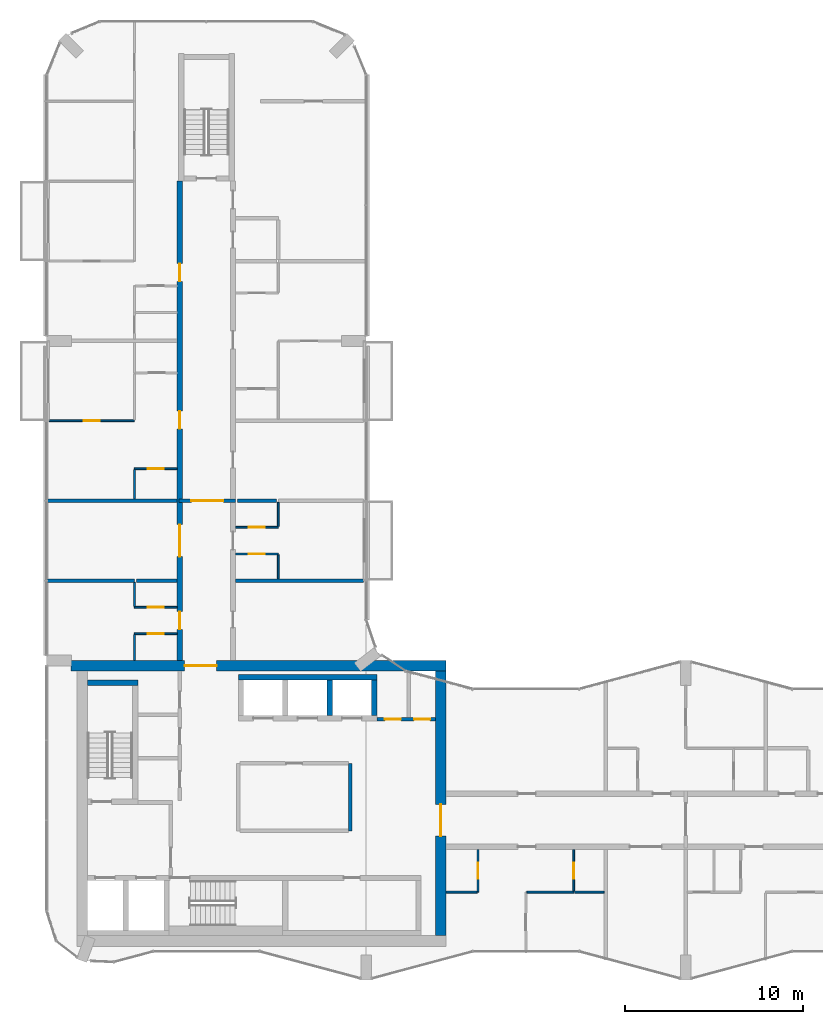
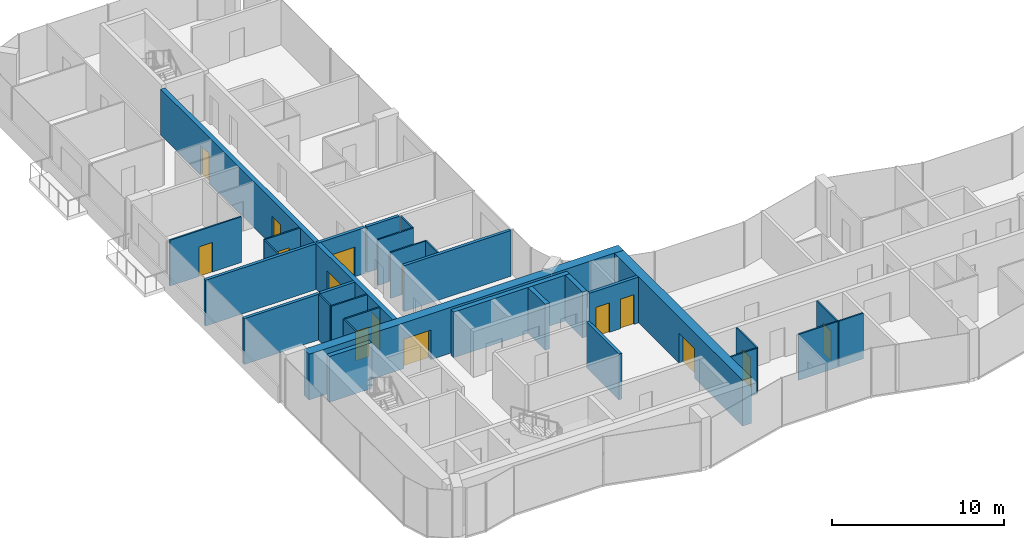
# One storey, part 10 of 15: 31 walls, 17 doors, 17 openings.
"""IFC4 building model written with IfcOpenShell, lengths in metres."""

from ifc_helpers import new_model, si_unit, direction, frame, frame_2d, origin, place, context, subcontext, project, spatial, rectangle, extrude, material, layer, layer_set, type_object, element, fill, save


model = new_model("IFC4")

# Units and contexts
model_context = context("Model", 3, precision=1e-05, world=origin(), true_north=direction((0.0, 1.0)))
body_context = subcontext(model_context, "Body", "Model", "MODEL_VIEW")
ifc_project = project(units=[si_unit("LENGTHUNIT", "METRE"), si_unit("AREAUNIT", "SQUARE_METRE"), si_unit("VOLUMEUNIT", "CUBIC_METRE"), si_unit("PLANEANGLEUNIT", "RADIAN"), si_unit("MASSUNIT", "GRAM", prefix="KILO")], contexts=[model_context])

# Site, building, storey
site_placement = place(None, origin())
site = spatial("IfcSite", under=ifc_project, at=site_placement, CompositionType="ELEMENT")
building_placement = place(site_placement, origin())
building = spatial("IfcBuilding", under=site, at=building_placement, Name="Plateau Cross Towers", CompositionType="ELEMENT")
storey_placement = place(building_placement, frame((0.0, 0.0, 149.89990234375)))
storey = spatial("IfcBuildingStorey", under=building, at=storey_placement, Name="L38", CompositionType="ELEMENT", Elevation=149.89990234375)

# Wall
ifc_material_1 = material(Name="Concrete block, plastered both sides", Category="concrete")
ifc_layer_1 = layer(ifc_material_1, 0.199951171875)
ifc_layer_set_1 = layer_set([ifc_layer_1], Name="Concrete block, plastered both sides")
wall_type_1 = type_object("IfcWallType", Name="Core partition 200", PredefinedType="PARTITIONING", material=ifc_layer_set_1)
wall_1_placement = place(storey_placement, frame((17.10009765625, 8.39990234375, 0.0), z_axis=(0.0, 0.0, 1.0), x_axis=(0.0, 1.0, 0.0)))
element("IfcWall", 1, at=wall_1_placement, inside=storey, type_object=wall_type_1, Name="Core partition", PredefinedType="PARTITIONING", context=body_context, shape_type="SweptSolid", body=[
    extrude(rectangle(XDim=3.800048828125, YDim=0.199951171875, at=frame_2d((1.89990234375, 0.0))), origin(), (0.0, 0.0, 1.0), 3.25),
])

# Wall, openings, doors
wall_2_placement = place(storey_placement, frame((18.60009765625, 14.699951171875, 0.0), z_axis=(0.0, 0.0, 1.0), x_axis=(1.0, 0.0, 0.0)))
wall_2 = element("IfcWall", 2, at=wall_2_placement, inside=storey, type_object=wall_type_1, Name="Core partition", PredefinedType="PARTITIONING", context=body_context, shape_type="SweptSolid", body=[
    extrude(rectangle(XDim=3.2998046875, YDim=0.199951171875, at=frame_2d((1.64990234375, 0.0))), origin(), (0.0, 0.0, 1.0), 3.25),
])
opening_1_placement = place(wall_2_placement, frame((0.449951171875, 0.0, 0.0)))
opening_1 = element("IfcOpeningElement", 3, at=opening_1_placement, cuts=wall_2, Name="Opening RD2", PredefinedType="OPENING", context=body_context, shape_type="SweptSolid", body=[
    extrude(rectangle(XDim=0.89990234375, YDim=2.10009765625, at=frame_2d((0.449951171875, 1.050048828125))), frame((0.0, 0.10986328125, 0.0), z_axis=(0.0, -1.0, 0.0), x_axis=(1.0, 0.0, 0.0)), (0.0, 0.0, 1.0), 0.219970703125),
])
opening_2_placement = place(wall_2_placement, frame((2.10009765625, 0.0, 0.0)))
opening_2 = element("IfcOpeningElement", 4, at=opening_2_placement, cuts=wall_2, Name="Opening RD2", PredefinedType="OPENING", context=body_context, shape_type="SweptSolid", body=[
    extrude(rectangle(XDim=0.89990234375, YDim=2.10009765625, at=frame_2d((0.449951171875, 1.050048828125))), frame((0.0, 0.10986328125, 0.0), z_axis=(0.0, -1.0, 0.0), x_axis=(1.0, 0.0, 0.0)), (0.0, 0.0, 1.0), 0.219970703125),
])
ifc_material_2 = material(Name="Steel, fire-resisting leaf", Category="steel")
door_type_1 = type_object("IfcDoorType", Name="Core riser door 900", OperationType="NOTDEFINED", PredefinedType="DOOR", material=ifc_material_2)
door_1_placement = place(opening_1_placement, origin())
door_1 = element("IfcDoor", 5, at=door_1_placement, inside=storey, type_object=door_type_1, Name="Core riser door RD2", OperationType="SINGLE_SWING_LEFT", OverallHeight=2.10009765625, OverallWidth=0.89990234375, PredefinedType="DOOR", context=body_context, shape_type="SweptSolid", body=[
    extrude(rectangle(XDim=0.89990234375, YDim=2.10009765625, at=frame_2d((0.449951171875, 1.050048828125))), frame((0.0, 0.02490234375, 0.0), z_axis=(0.0, -1.0, 0.0), x_axis=(1.0, 0.0, 0.0)), (0.0, 0.0, 1.0), 0.050048828125),
])
fill(opening_1, door_1)
door_2_placement = place(opening_2_placement, origin())
door_2 = element("IfcDoor", 6, at=door_2_placement, inside=storey, type_object=door_type_1, Name="Core riser door RD2", OperationType="SINGLE_SWING_LEFT", OverallHeight=2.10009765625, OverallWidth=0.89990234375, PredefinedType="DOOR", context=body_context, shape_type="SweptSolid", body=[
    extrude(rectangle(XDim=0.89990234375, YDim=2.10009765625, at=frame_2d((0.449951171875, 1.050048828125))), frame((0.0, 0.02490234375, 0.0), z_axis=(0.0, -1.0, 0.0), x_axis=(1.0, 0.0, 0.0)), (0.0, 0.0, 1.0), 0.050048828125),
])
fill(opening_2, door_2)

# Walls
ifc_material_3 = material(Name="Concrete C60/75", Category="concrete")
ifc_layer_2 = layer(ifc_material_3, 0.300048828125)
ifc_layer_set_2 = layer_set([ifc_layer_2], Name="Concrete C60/75")
wall_type_2 = type_object("IfcWallType", Name="Core shaft wall 300", PredefinedType="SHEAR", material=ifc_layer_set_2)
wall_3_placement = place(storey_placement, frame((2.300048828125, 16.75, 0.0), z_axis=(0.0, 0.0, 1.0), x_axis=(1.0, 0.0, 0.0)))
element("IfcWall", 7, at=wall_3_placement, inside=storey, type_object=wall_type_2, Name="A-st1-N@L38", PredefinedType="SHEAR", context=body_context, shape_type="SweptSolid", body=[
    extrude(rectangle(XDim=2.849853515625, YDim=0.300048828125, at=frame_2d((1.4248046875, 0.0))), origin(), (0.0, 0.0, 1.0), 3.25),
])
wall_4_placement = place(storey_placement, frame((10.800048828125, 17.050048828125, 0.0), z_axis=(0.0, 0.0, 1.0), x_axis=(1.0, 0.0, 0.0)))
element("IfcWall", 8, at=wall_4_placement, inside=storey, type_object=wall_type_2, Name="A-nb-back@L38", PredefinedType="SHEAR", context=body_context, shape_type="SweptSolid", body=[
    extrude(rectangle(XDim=7.800048828125, YDim=0.300048828125, at=frame_2d((3.89990234375, 0.0))), origin(), (0.0, 0.0, 1.0), 3.25),
])
for number, where, z_axis, x_axis, name in (
    (9, (15.949951171875, 14.89990234375, 0.0), (0.0, 0.0, 1.0), (0.0, 1.0, 0.0), "A-nb-v3@L38"),
    (10, (18.449951171875, 14.89990234375, 0.0), (0.0, 0.0, 1.0), (0.0, 1.0, 0.0), "A-nb-v4@L38"),
):
    element("IfcWall", number, at=place(storey_placement, frame(where, z_axis=z_axis, x_axis=x_axis)), inside=storey, type_object=wall_type_2, Name=name, PredefinedType="SHEAR", context=body_context, shape_type="SweptSolid", body=[
        extrude(rectangle(XDim=2.0, YDim=0.300048828125, at=frame_2d((1.0, 0.0))), origin(), (0.0, 0.0, 1.0), 3.25),
    ])

# Wall, opening, door
ifc_layer_3 = layer(ifc_material_3, 0.60009765625)
ifc_layer_set_3 = layer_set([ifc_layer_3], Name="Concrete C60/75")
wall_type_3 = type_object("IfcWallType", Name="Core shell wall 600", PredefinedType="SHEAR", material=ifc_layer_set_3)
wall_5_placement = place(storey_placement, frame((1.3798828125, 17.699951171875, 0.0), z_axis=(0.0, 0.0, 1.0), x_axis=(1.0, 0.0, 0.0)))
wall_5 = element("IfcWall", 11, at=wall_5_placement, inside=storey, type_object=wall_type_3, Name="A-core-N@L38", PredefinedType="SHEAR", context=body_context, shape_type="SweptSolid", body=[
    extrude(rectangle(XDim=21.1201171875, YDim=0.60009765625, at=frame_2d((10.56005859375, 0.0))), origin(), (0.0, 0.0, 1.0), 3.25),
])
opening_3_placement = place(wall_5_placement, frame((6.39990234375, 0.0, 0.0)))
opening_3 = element("IfcOpeningElement", 12, at=opening_3_placement, cuts=wall_5, Name="Opening CD", PredefinedType="OPENING", context=body_context, shape_type="SweptSolid", body=[
    extrude(rectangle(XDim=1.800048828125, YDim=2.10009765625, at=frame_2d((0.89990234375, 1.050048828125))), frame((0.0, 0.31005859375, 0.0), z_axis=(0.0, -1.0, 0.0), x_axis=(1.0, 0.0, 0.0)), (0.0, 0.0, 1.0), 0.6201171875),
])
ifc_material_4 = material(Name="Steel, fire-resisting leaves", Category="steel")
door_type_2 = type_object("IfcDoorType", Name="Corridor door pair 1800", OperationType="NOTDEFINED", PredefinedType="DOOR", material=ifc_material_4)
door_3_placement = place(opening_3_placement, origin())
door_3 = element("IfcDoor", 13, at=door_3_placement, inside=storey, type_object=door_type_2, Name="Corridor door pair CD", OperationType="DOUBLE_DOOR_SINGLE_SWING", OverallHeight=2.10009765625, OverallWidth=1.800048828125, PredefinedType="DOOR", context=body_context, shape_type="SweptSolid", body=[
    extrude(rectangle(XDim=1.800048828125, YDim=2.10009765625, at=frame_2d((0.89990234375, 1.050048828125))), frame((0.0, 0.02490234375, 0.0), z_axis=(0.0, -1.0, 0.0), x_axis=(1.0, 0.0, 0.0)), (0.0, 0.0, 1.0), 0.050048828125),
])
fill(opening_3, door_3)

wall_6_placement = place(storey_placement, frame((22.199951171875, 2.5, 0.0), z_axis=(0.0, 0.0, 1.0), x_axis=(0.0, 1.0, 0.0)))
wall_6 = element("IfcWall", 14, at=wall_6_placement, inside=storey, type_object=wall_type_3, Name="A-core-E@L38", PredefinedType="SHEAR", context=body_context, shape_type="SweptSolid", body=[
    extrude(rectangle(XDim=14.89990234375, YDim=0.60009765625, at=frame_2d((7.449951171875, 0.0))), origin(), (0.0, 0.0, 1.0), 3.25),
])
opening_4_placement = place(wall_6_placement, frame((5.60009765625, 0.0, 0.0)))
opening_4 = element("IfcOpeningElement", 15, at=opening_4_placement, cuts=wall_6, Name="Opening CD", PredefinedType="OPENING", context=body_context, shape_type="SweptSolid", body=[
    extrude(rectangle(XDim=1.800048828125, YDim=2.10009765625, at=frame_2d((0.89990234375, 1.050048828125))), frame((0.0, 0.31005859375, 0.0), z_axis=(0.0, -1.0, 0.0), x_axis=(1.0, 0.0, 0.0)), (0.0, 0.0, 1.0), 0.6201171875),
])
door_4_placement = place(opening_4_placement, origin())
door_4 = element("IfcDoor", 16, at=door_4_placement, inside=storey, type_object=door_type_2, Name="Corridor door pair CD", OperationType="DOUBLE_DOOR_SINGLE_SWING", OverallHeight=2.10009765625, OverallWidth=1.800048828125, PredefinedType="DOOR", context=body_context, shape_type="SweptSolid", body=[
    extrude(rectangle(XDim=1.800048828125, YDim=2.10009765625, at=frame_2d((0.89990234375, 1.050048828125))), frame((0.0, 0.02490234375, 0.0), z_axis=(0.0, -1.0, 0.0), x_axis=(1.0, 0.0, 0.0)), (0.0, 0.0, 1.0), 0.050048828125),
])
fill(opening_4, door_4)

# Wall, openings, doors
ifc_layer_4 = layer(ifc_material_3, 0.300048828125)
ifc_layer_set_4 = layer_set([ifc_layer_4], Name="Concrete C60/75")
wall_type_4 = type_object("IfcWallType", Name="Corridor wall 300", PredefinedType="SHEAR", material=ifc_layer_set_4)
wall_7_placement = place(storey_placement, frame((7.5, 18.0, 0.0), z_axis=(0.0, 0.0, 1.0), x_axis=(0.0, 1.0, 0.0)))
wall_7 = element("IfcWall", 17, at=wall_7_placement, inside=storey, type_object=wall_type_4, Name="A-cw-W1@L38", PredefinedType="SHEAR", context=body_context, shape_type="SweptSolid", body=[
    extrude(rectangle(XDim=27.0, YDim=0.300048828125, at=frame_2d((13.5, 0.0))), origin(), (0.0, 0.0, 1.0), 3.25),
])
opening_5_placement = place(wall_7_placement, frame((1.75, 0.0, 0.0)))
opening_5 = element("IfcOpeningElement", 18, at=opening_5_placement, cuts=wall_7, Name="Opening 38-08", PredefinedType="OPENING", context=body_context, shape_type="SweptSolid", body=[
    extrude(rectangle(XDim=1.0, YDim=2.10009765625, at=frame_2d((0.5, 1.050048828125))), frame((0.0, 0.159912109375, 0.0), z_axis=(0.0, -1.0, 0.0), x_axis=(1.0, 0.0, 0.0)), (0.0, 0.0, 1.0), 0.320068359375),
])
opening_6_placement = place(wall_7_placement, frame((5.85009765625, 0.0, 0.0)))
opening_6 = element("IfcOpeningElement", 19, at=opening_6_placement, cuts=wall_7, Name="Opening 38-09", PredefinedType="OPENING", context=body_context, shape_type="SweptSolid", body=[
    extrude(rectangle(XDim=1.800048828125, YDim=2.10009765625, at=frame_2d((0.89990234375, 1.050048828125))), frame((0.0, 0.159912109375, 0.0), z_axis=(0.0, -1.0, 0.0), x_axis=(1.0, 0.0, 0.0)), (0.0, 0.0, 1.0), 0.320068359375),
])
opening_7_placement = place(wall_7_placement, frame((13.050048828125, 0.0, 0.0)))
opening_7 = element("IfcOpeningElement", 20, at=opening_7_placement, cuts=wall_7, Name="Opening 38-10", PredefinedType="OPENING", context=body_context, shape_type="SweptSolid", body=[
    extrude(rectangle(XDim=1.0, YDim=2.10009765625, at=frame_2d((0.5, 1.050048828125))), frame((0.0, 0.159912109375, 0.0), z_axis=(0.0, -1.0, 0.0), x_axis=(1.0, 0.0, 0.0)), (0.0, 0.0, 1.0), 0.320068359375),
])
opening_8_placement = place(wall_7_placement, frame((21.35009765625, 0.0, 0.0)))
opening_8 = element("IfcOpeningElement", 21, at=opening_8_placement, cuts=wall_7, Name="Opening 38-11", PredefinedType="OPENING", context=body_context, shape_type="SweptSolid", body=[
    extrude(rectangle(XDim=1.0, YDim=2.10009765625, at=frame_2d((0.5, 1.050048828125))), frame((0.0, 0.159912109375, 0.0), z_axis=(0.0, -1.0, 0.0), x_axis=(1.0, 0.0, 0.0)), (0.0, 0.0, 1.0), 0.320068359375),
])
ifc_material_5 = material(Name="Timber, fire-resisting leaf", Category="wood")
door_type_3 = type_object("IfcDoorType", Name="Flat entrance door 1000", OperationType="NOTDEFINED", PredefinedType="DOOR", material=ifc_material_5)
door_5_placement = place(opening_5_placement, origin())
door_5 = element("IfcDoor", 22, at=door_5_placement, inside=storey, type_object=door_type_3, Name="Door 38-08", OperationType="SINGLE_SWING_LEFT", OverallHeight=2.10009765625, OverallWidth=1.0, PredefinedType="DOOR", context=body_context, shape_type="SweptSolid", body=[
    extrude(rectangle(XDim=1.0, YDim=2.10009765625, at=frame_2d((0.5, 1.050048828125))), frame((0.0, 0.02490234375, 0.0), z_axis=(0.0, -1.0, 0.0), x_axis=(1.0, 0.0, 0.0)), (0.0, 0.0, 1.0), 0.050048828125),
])
fill(opening_5, door_5)
door_6_placement = place(opening_7_placement, origin())
door_6 = element("IfcDoor", 23, at=door_6_placement, inside=storey, type_object=door_type_3, Name="Door 38-10", OperationType="SINGLE_SWING_RIGHT", OverallHeight=2.10009765625, OverallWidth=1.0, PredefinedType="DOOR", context=body_context, shape_type="SweptSolid", body=[
    extrude(rectangle(XDim=1.0, YDim=2.10009765625, at=frame_2d((0.5, 1.050048828125))), frame((0.0, 0.02490234375, 0.0), z_axis=(0.0, -1.0, 0.0), x_axis=(1.0, 0.0, 0.0)), (0.0, 0.0, 1.0), 0.050048828125),
])
fill(opening_7, door_6)
door_7_placement = place(opening_8_placement, origin())
door_7 = element("IfcDoor", 24, at=door_7_placement, inside=storey, type_object=door_type_3, Name="Door 38-11", OperationType="SINGLE_SWING_RIGHT", OverallHeight=2.10009765625, OverallWidth=1.0, PredefinedType="DOOR", context=body_context, shape_type="SweptSolid", body=[
    extrude(rectangle(XDim=1.0, YDim=2.10009765625, at=frame_2d((0.5, 1.050048828125))), frame((0.0, 0.02490234375, 0.0), z_axis=(0.0, -1.0, 0.0), x_axis=(1.0, 0.0, 0.0)), (0.0, 0.0, 1.0), 0.050048828125),
])
fill(opening_8, door_7)
ifc_material_6 = material(Name="Timber, fire-resisting leaves", Category="wood")
door_type_4 = type_object("IfcDoorType", Name="Flat floor fire door pair 1800", OperationType="NOTDEFINED", PredefinedType="DOOR", material=ifc_material_6)
door_8_placement = place(opening_6_placement, origin())
door_8 = element("IfcDoor", 25, at=door_8_placement, inside=storey, type_object=door_type_4, Name="Door 38-09", OperationType="SINGLE_SWING_LEFT", OverallHeight=2.10009765625, OverallWidth=1.800048828125, PredefinedType="DOOR", context=body_context, shape_type="SweptSolid", body=[
    extrude(rectangle(XDim=1.800048828125, YDim=2.10009765625, at=frame_2d((0.89990234375, 1.050048828125))), frame((0.0, 0.02490234375, 0.0), z_axis=(0.0, -1.0, 0.0), x_axis=(1.0, 0.0, 0.0)), (0.0, 0.0, 1.0), 0.050048828125),
])
fill(opening_6, door_8)

# Walls
ifc_material_7 = material(Name="Gypsum board on steel studs", Category="steel")
ifc_layer_5 = layer(ifc_material_7, 0.10009765625)
ifc_layer_set_5 = layer_set([ifc_layer_5], Name="Gypsum board on steel studs")
wall_type_5 = type_object("IfcWallType", Name="Flat partition 100", PredefinedType="PARTITIONING", material=ifc_layer_set_5)
wall_8_placement = place(storey_placement, frame((29.699951171875, 4.949951171875, 0.0), z_axis=(0.0, 0.0, 1.0), x_axis=(-1.0, 0.0, 0.0)))
element("IfcWall", 26, at=wall_8_placement, inside=storey, type_object=wall_type_5, Name="Partition wall", PredefinedType="PARTITIONING", context=body_context, shape_type="SweptSolid", body=[
    extrude(rectangle(XDim=2.64990234375, YDim=0.10009765625, at=frame_2d((1.324951171875, 0.0))), origin(), (0.0, 0.0, 1.0), 3.25),
])
wall_9_placement = place(storey_placement, frame((22.5, 4.949951171875, 0.0), z_axis=(0.0, 0.0, 1.0), x_axis=(1.0, 0.0, 0.0)))
element("IfcWall", 27, at=wall_9_placement, inside=storey, type_object=wall_type_5, Name="Partition wall", PredefinedType="PARTITIONING", context=body_context, shape_type="SweptSolid", body=[
    extrude(rectangle(XDim=1.75, YDim=0.10009765625, at=frame_2d((0.875, 0.0))), origin(), (0.0, 0.0, 1.0), 3.25),
])
wall_10_placement = place(storey_placement, frame((29.75, 4.949951171875, 0.0), z_axis=(0.0, 0.0, 1.0), x_axis=(1.0, 0.0, 0.0)))
element("IfcWall", 28, at=wall_10_placement, inside=storey, type_object=wall_type_5, Name="Partition wall", PredefinedType="PARTITIONING", context=body_context, shape_type="SweptSolid", body=[
    extrude(rectangle(XDim=1.64990234375, YDim=0.10009765625, at=frame_2d((0.824951171875, 0.0))), origin(), (0.0, 0.0, 1.0), 3.25),
])

# Wall, opening, door
wall_11_placement = place(storey_placement, frame((7.35009765625, 19.5, 0.0), z_axis=(0.0, 0.0, 1.0), x_axis=(-1.0, 0.0, 0.0)))
wall_11 = element("IfcWall", 29, at=wall_11_placement, inside=storey, type_object=wall_type_5, Name="Partition wall", PredefinedType="PARTITIONING", context=body_context, shape_type="SweptSolid", body=[
    extrude(rectangle(XDim=2.400146484375, YDim=0.10009765625, at=frame_2d((1.2001953125, 0.0))), origin(), (0.0, 0.0, 1.0), 3.25),
])
opening_9_placement = place(wall_11_placement, frame((0.75, 0.0, 0.0)))
opening_9 = element("IfcOpeningElement", 30, at=opening_9_placement, cuts=wall_11, Name="Opening 38-33", PredefinedType="OPENING", context=body_context, shape_type="SweptSolid", body=[
    extrude(rectangle(XDim=0.89990234375, YDim=2.10009765625, at=frame_2d((0.449951171875, 1.050048828125))), frame((0.0, 0.06005859375, 0.0), z_axis=(0.0, -1.0, 0.0), x_axis=(1.0, 0.0, 0.0)), (0.0, 0.0, 1.0), 0.1201171875),
])
ifc_material_8 = material(Name="Timber leaf", Category="wood")
door_type_5 = type_object("IfcDoorType", Name="Flat room door 900", OperationType="NOTDEFINED", PredefinedType="DOOR", material=ifc_material_8)
door_9_placement = place(opening_9_placement, origin())
door_9 = element("IfcDoor", 31, at=door_9_placement, inside=storey, type_object=door_type_5, Name="Door 38-33", OperationType="SINGLE_SWING_RIGHT", OverallHeight=2.10009765625, OverallWidth=0.89990234375, PredefinedType="DOOR", context=body_context, shape_type="SweptSolid", body=[
    extrude(rectangle(XDim=0.89990234375, YDim=2.10009765625, at=frame_2d((0.449951171875, 1.050048828125))), frame((0.0, 0.02490234375, 0.0), z_axis=(0.0, -1.0, 0.0), x_axis=(1.0, 0.0, 0.0)), (0.0, 0.0, 1.0), 0.050048828125),
])
fill(opening_9, door_9)

wall_12_placement = place(storey_placement, frame((4.949951171875, 21.0, 0.0), z_axis=(0.0, 0.0, 1.0), x_axis=(1.0, 0.0, 0.0)))
wall_12 = element("IfcWall", 32, at=wall_12_placement, inside=storey, type_object=wall_type_5, Name="Partition wall", PredefinedType="PARTITIONING", context=body_context, shape_type="SweptSolid", body=[
    extrude(rectangle(XDim=2.400146484375, YDim=0.10009765625, at=frame_2d((1.2001953125, 0.0))), origin(), (0.0, 0.0, 1.0), 3.25),
])
opening_10_placement = place(wall_12_placement, frame((0.75, 0.0, 0.0)))
opening_10 = element("IfcOpeningElement", 33, at=opening_10_placement, cuts=wall_12, Name="Opening 38-34", PredefinedType="OPENING", context=body_context, shape_type="SweptSolid", body=[
    extrude(rectangle(XDim=0.89990234375, YDim=2.10009765625, at=frame_2d((0.449951171875, 1.050048828125))), frame((0.0, 0.06005859375, 0.0), z_axis=(0.0, -1.0, 0.0), x_axis=(1.0, 0.0, 0.0)), (0.0, 0.0, 1.0), 0.1201171875),
])
door_10_placement = place(opening_10_placement, origin())
door_10 = element("IfcDoor", 34, at=door_10_placement, inside=storey, type_object=door_type_5, Name="Door 38-34", OperationType="SINGLE_SWING_RIGHT", OverallHeight=2.10009765625, OverallWidth=0.89990234375, PredefinedType="DOOR", context=body_context, shape_type="SweptSolid", body=[
    extrude(rectangle(XDim=0.89990234375, YDim=2.10009765625, at=frame_2d((0.449951171875, 1.050048828125))), frame((0.0, 0.02490234375, 0.0), z_axis=(0.0, -1.0, 0.0), x_axis=(1.0, 0.0, 0.0)), (0.0, 0.0, 1.0), 0.050048828125),
])
fill(opening_10, door_10)

wall_13_placement = place(storey_placement, frame((13.050048828125, 24.0, 0.0), z_axis=(0.0, 0.0, 1.0), x_axis=(-1.0, 0.0, 0.0)))
wall_13 = element("IfcWall", 35, at=wall_13_placement, inside=storey, type_object=wall_type_5, Name="Partition wall", PredefinedType="PARTITIONING", context=body_context, shape_type="SweptSolid", body=[
    extrude(rectangle(XDim=2.400146484375, YDim=0.10009765625, at=frame_2d((1.2001953125, 0.0))), origin(), (0.0, 0.0, 1.0), 3.25),
])
opening_11_placement = place(wall_13_placement, frame((0.75, 0.0, 0.0)))
opening_11 = element("IfcOpeningElement", 36, at=opening_11_placement, cuts=wall_13, Name="Opening 38-43", PredefinedType="OPENING", context=body_context, shape_type="SweptSolid", body=[
    extrude(rectangle(XDim=0.89990234375, YDim=2.10009765625, at=frame_2d((0.449951171875, 1.050048828125))), frame((0.0, 0.06005859375, 0.0), z_axis=(0.0, -1.0, 0.0), x_axis=(1.0, 0.0, 0.0)), (0.0, 0.0, 1.0), 0.1201171875),
])
door_11_placement = place(opening_11_placement, origin())
door_11 = element("IfcDoor", 37, at=door_11_placement, inside=storey, type_object=door_type_5, Name="Door 38-43", OperationType="SINGLE_SWING_LEFT", OverallHeight=2.10009765625, OverallWidth=0.89990234375, PredefinedType="DOOR", context=body_context, shape_type="SweptSolid", body=[
    extrude(rectangle(XDim=0.89990234375, YDim=2.10009765625, at=frame_2d((0.449951171875, 1.050048828125))), frame((0.0, 0.02490234375, 0.0), z_axis=(0.0, -1.0, 0.0), x_axis=(1.0, 0.0, 0.0)), (0.0, 0.0, 1.0), 0.050048828125),
])
fill(opening_11, door_11)

wall_14_placement = place(storey_placement, frame((10.64990234375, 25.5, 0.0), z_axis=(0.0, 0.0, 1.0), x_axis=(1.0, 0.0, 0.0)))
wall_14 = element("IfcWall", 38, at=wall_14_placement, inside=storey, type_object=wall_type_5, Name="Partition wall", PredefinedType="PARTITIONING", context=body_context, shape_type="SweptSolid", body=[
    extrude(rectangle(XDim=2.400146484375, YDim=0.10009765625, at=frame_2d((1.2001953125, 0.0))), origin(), (0.0, 0.0, 1.0), 3.25),
])
opening_12_placement = place(wall_14_placement, frame((0.75, 0.0, 0.0)))
opening_12 = element("IfcOpeningElement", 39, at=opening_12_placement, cuts=wall_14, Name="Opening 38-44", PredefinedType="OPENING", context=body_context, shape_type="SweptSolid", body=[
    extrude(rectangle(XDim=0.89990234375, YDim=2.10009765625, at=frame_2d((0.449951171875, 1.050048828125))), frame((0.0, 0.06005859375, 0.0), z_axis=(0.0, -1.0, 0.0), x_axis=(1.0, 0.0, 0.0)), (0.0, 0.0, 1.0), 0.1201171875),
])
door_12_placement = place(opening_12_placement, origin())
door_12 = element("IfcDoor", 40, at=door_12_placement, inside=storey, type_object=door_type_5, Name="Door 38-44", OperationType="SINGLE_SWING_LEFT", OverallHeight=2.10009765625, OverallWidth=0.89990234375, PredefinedType="DOOR", context=body_context, shape_type="SweptSolid", body=[
    extrude(rectangle(XDim=0.89990234375, YDim=2.10009765625, at=frame_2d((0.449951171875, 1.050048828125))), frame((0.0, 0.02490234375, 0.0), z_axis=(0.0, -1.0, 0.0), x_axis=(1.0, 0.0, 0.0)), (0.0, 0.0, 1.0), 0.050048828125),
])
fill(opening_12, door_12)

wall_15_placement = place(storey_placement, frame((7.35009765625, 28.800048828125, 0.0), z_axis=(0.0, 0.0, 1.0), x_axis=(-1.0, 0.0, 0.0)))
wall_15 = element("IfcWall", 41, at=wall_15_placement, inside=storey, type_object=wall_type_5, Name="Partition wall", PredefinedType="PARTITIONING", context=body_context, shape_type="SweptSolid", body=[
    extrude(rectangle(XDim=2.400146484375, YDim=0.10009765625, at=frame_2d((1.2001953125, 0.0))), origin(), (0.0, 0.0, 1.0), 3.25),
])
opening_13_placement = place(wall_15_placement, frame((0.75, 0.0, 0.0)))
opening_13 = element("IfcOpeningElement", 42, at=opening_13_placement, cuts=wall_15, Name="Opening 38-35", PredefinedType="OPENING", context=body_context, shape_type="SweptSolid", body=[
    extrude(rectangle(XDim=0.89990234375, YDim=2.10009765625, at=frame_2d((0.449951171875, 1.050048828125))), frame((0.0, 0.06005859375, 0.0), z_axis=(0.0, -1.0, 0.0), x_axis=(1.0, 0.0, 0.0)), (0.0, 0.0, 1.0), 0.1201171875),
])
door_13_placement = place(opening_13_placement, origin())
door_13 = element("IfcDoor", 43, at=door_13_placement, inside=storey, type_object=door_type_5, Name="Door 38-35", OperationType="SINGLE_SWING_RIGHT", OverallHeight=2.10009765625, OverallWidth=0.89990234375, PredefinedType="DOOR", context=body_context, shape_type="SweptSolid", body=[
    extrude(rectangle(XDim=0.89990234375, YDim=2.10009765625, at=frame_2d((0.449951171875, 1.050048828125))), frame((0.0, 0.02490234375, 0.0), z_axis=(0.0, -1.0, 0.0), x_axis=(1.0, 0.0, 0.0)), (0.0, 0.0, 1.0), 0.050048828125),
])
fill(opening_13, door_13)

wall_16_placement = place(storey_placement, frame((0.14990234375, 31.5, 0.0), z_axis=(0.0, 0.0, 1.0), x_axis=(1.0, 0.0, 0.0)))
wall_16 = element("IfcWall", 44, at=wall_16_placement, inside=storey, type_object=wall_type_5, Name="Partition wall", PredefinedType="PARTITIONING", context=body_context, shape_type="SweptSolid", body=[
    extrude(rectangle(XDim=4.800048828125, YDim=0.10009765625, at=frame_2d((2.39990234375, 0.0))), origin(), (0.0, 0.0, 1.0), 3.25),
])
opening_14_placement = place(wall_16_placement, frame((1.949951171875, 0.0, 0.0)))
opening_14 = element("IfcOpeningElement", 45, at=opening_14_placement, cuts=wall_16, Name="Opening 38-37", PredefinedType="OPENING", context=body_context, shape_type="SweptSolid", body=[
    extrude(rectangle(XDim=0.89990234375, YDim=2.10009765625, at=frame_2d((0.449951171875, 1.050048828125))), frame((0.0, 0.06005859375, 0.0), z_axis=(0.0, -1.0, 0.0), x_axis=(1.0, 0.0, 0.0)), (0.0, 0.0, 1.0), 0.1201171875),
])
door_14_placement = place(opening_14_placement, origin())
door_14 = element("IfcDoor", 46, at=door_14_placement, inside=storey, type_object=door_type_5, Name="Door 38-37", OperationType="SINGLE_SWING_LEFT", OverallHeight=2.10009765625, OverallWidth=0.89990234375, PredefinedType="DOOR", context=body_context, shape_type="SweptSolid", body=[
    extrude(rectangle(XDim=0.89990234375, YDim=2.10009765625, at=frame_2d((0.449951171875, 1.050048828125))), frame((0.0, 0.02490234375, 0.0), z_axis=(0.0, -1.0, 0.0), x_axis=(1.0, 0.0, 0.0)), (0.0, 0.0, 1.0), 0.050048828125),
])
fill(opening_14, door_14)

# Walls
wall_17_placement = place(storey_placement, frame((4.949951171875, 19.449951171875, 0.0), z_axis=(0.0, 0.0, 1.0), x_axis=(0.0, -1.0, 0.0)))
element("IfcWall", 47, at=wall_17_placement, inside=storey, type_object=wall_type_5, Name="Partition wall", PredefinedType="PARTITIONING", context=body_context, shape_type="SweptSolid", body=[
    extrude(rectangle(XDim=1.449951171875, YDim=0.10009765625, at=frame_2d((0.72509765625, 0.0))), origin(), (0.0, 0.0, 1.0), 3.25),
])
wall_18_placement = place(storey_placement, frame((4.949951171875, 22.39990234375, 0.0), z_axis=(0.0, 0.0, 1.0), x_axis=(0.0, -1.0, 0.0)))
element("IfcWall", 48, at=wall_18_placement, inside=storey, type_object=wall_type_5, Name="Partition wall", PredefinedType="PARTITIONING", context=body_context, shape_type="SweptSolid", body=[
    extrude(rectangle(XDim=1.349853515625, YDim=0.10009765625, at=frame_2d((0.6748046875, 0.0))), origin(), (0.0, 0.0, 1.0), 3.25),
])
wall_19_placement = place(storey_placement, frame((4.949951171875, 28.75, 0.0), z_axis=(0.0, 0.0, 1.0), x_axis=(0.0, -1.0, 0.0)))
element("IfcWall", 49, at=wall_19_placement, inside=storey, type_object=wall_type_5, Name="Partition wall", PredefinedType="PARTITIONING", context=body_context, shape_type="SweptSolid", body=[
    extrude(rectangle(XDim=1.64990234375, YDim=0.10009765625, at=frame_2d((0.824951171875, 0.0))), origin(), (0.0, 0.0, 1.0), 3.25),
])
for number, where, z_axis, x_axis, name in (
    (50, (13.050048828125, 22.60009765625, 0.0), (0.0, 0.0, 1.0), (0.0, 1.0, 0.0), "Partition wall"),
    (51, (13.050048828125, 25.550048828125, 0.0), (0.0, 0.0, 1.0), (0.0, 1.0, 0.0), "Partition wall"),
):
    element("IfcWall", number, at=place(storey_placement, frame(where, z_axis=z_axis, x_axis=x_axis)), inside=storey, type_object=wall_type_5, Name=name, PredefinedType="PARTITIONING", context=body_context, shape_type="SweptSolid", body=[
        extrude(rectangle(XDim=1.349853515625, YDim=0.10009765625, at=frame_2d((0.6748046875, 0.0))), origin(), (0.0, 0.0, 1.0), 3.25),
    ])

# Wall, opening, door
wall_20_placement = place(storey_placement, frame((24.300048828125, 4.949951171875, 0.0), z_axis=(0.0, 0.0, 1.0), x_axis=(0.0, 1.0, 0.0)))
wall_20 = element("IfcWall", 52, at=wall_20_placement, inside=storey, type_object=wall_type_5, Name="Partition wall", PredefinedType="PARTITIONING", context=body_context, shape_type="SweptSolid", body=[
    extrude(rectangle(XDim=2.400146484375, YDim=0.10009765625, at=frame_2d((1.2001953125, 0.0))), origin(), (0.0, 0.0, 1.0), 3.25),
])
opening_15_placement = place(wall_20_placement, frame((0.75, 0.0, 0.0)))
opening_15 = element("IfcOpeningElement", 53, at=opening_15_placement, cuts=wall_20, Name="Opening 38-22", PredefinedType="OPENING", context=body_context, shape_type="SweptSolid", body=[
    extrude(rectangle(XDim=0.89990234375, YDim=2.10009765625, at=frame_2d((0.449951171875, 1.050048828125))), frame((0.0, 0.06005859375, 0.0), z_axis=(0.0, -1.0, 0.0), x_axis=(1.0, 0.0, 0.0)), (0.0, 0.0, 1.0), 0.1201171875),
])
door_15_placement = place(opening_15_placement, origin())
door_15 = element("IfcDoor", 54, at=door_15_placement, inside=storey, type_object=door_type_5, Name="Door 38-22", OperationType="SINGLE_SWING_RIGHT", OverallHeight=2.10009765625, OverallWidth=0.89990234375, PredefinedType="DOOR", context=body_context, shape_type="SweptSolid", body=[
    extrude(rectangle(XDim=0.89990234375, YDim=2.10009765625, at=frame_2d((0.449951171875, 1.050048828125))), frame((0.0, 0.02490234375, 0.0), z_axis=(0.0, -1.0, 0.0), x_axis=(1.0, 0.0, 0.0)), (0.0, 0.0, 1.0), 0.050048828125),
])
fill(opening_15, door_15)

wall_21_placement = place(storey_placement, frame((29.699951171875, 7.35009765625, 0.0), z_axis=(0.0, 0.0, 1.0), x_axis=(0.0, -1.0, 0.0)))
wall_21 = element("IfcWall", 55, at=wall_21_placement, inside=storey, type_object=wall_type_5, Name="Partition wall", PredefinedType="PARTITIONING", context=body_context, shape_type="SweptSolid", body=[
    extrude(rectangle(XDim=2.35009765625, YDim=0.10009765625, at=frame_2d((1.175048828125, 0.0))), origin(), (0.0, 0.0, 1.0), 3.25),
])
opening_16_placement = place(wall_21_placement, frame((0.75, 0.0, 0.0)))
opening_16 = element("IfcOpeningElement", 56, at=opening_16_placement, cuts=wall_21, Name="Opening 38-23", PredefinedType="OPENING", context=body_context, shape_type="SweptSolid", body=[
    extrude(rectangle(XDim=0.89990234375, YDim=2.10009765625, at=frame_2d((0.449951171875, 1.050048828125))), frame((0.0, 0.06005859375, 0.0), z_axis=(0.0, -1.0, 0.0), x_axis=(1.0, 0.0, 0.0)), (0.0, 0.0, 1.0), 0.1201171875),
])
door_16_placement = place(opening_16_placement, origin())
door_16 = element("IfcDoor", 57, at=door_16_placement, inside=storey, type_object=door_type_5, Name="Door 38-23", OperationType="SINGLE_SWING_RIGHT", OverallHeight=2.10009765625, OverallWidth=0.89990234375, PredefinedType="DOOR", context=body_context, shape_type="SweptSolid", body=[
    extrude(rectangle(XDim=0.89990234375, YDim=2.10009765625, at=frame_2d((0.449951171875, 1.050048828125))), frame((0.0, 0.02490234375, 0.0), z_axis=(0.0, -1.0, 0.0), x_axis=(1.0, 0.0, 0.0)), (0.0, 0.0, 1.0), 0.050048828125),
])
fill(opening_16, door_16)

# Walls
ifc_material_9 = material(Name="Gypsum board on steel studs, two layers each side", Category="steel")
ifc_layer_6 = layer(ifc_material_9, 0.199951171875)
ifc_layer_set_6 = layer_set([ifc_layer_6], Name="Gypsum board on steel studs, two layers each side")
wall_type_6 = type_object("IfcWallType", Name="Flat party wall 200", PredefinedType="PARTITIONING", material=ifc_layer_set_6)
wall_22_placement = place(storey_placement, frame((7.35009765625, 22.5, 0.0), z_axis=(0.0, 0.0, 1.0), x_axis=(-1.0, 0.0, 0.0)))
element("IfcWall", 58, at=wall_22_placement, inside=storey, type_object=wall_type_6, Name="Party wall", PredefinedType="PARTITIONING", context=body_context, shape_type="SweptSolid", body=[
    extrude(rectangle(XDim=2.300048828125, YDim=0.199951171875, at=frame_2d((1.14990234375, 0.0))), origin(), (0.0, 0.0, 1.0), 3.25),
])
wall_23_placement = place(storey_placement, frame((17.85009765625, 22.5, 0.0), z_axis=(0.0, 0.0, 1.0), x_axis=(-1.0, 0.0, 0.0)))
element("IfcWall", 59, at=wall_23_placement, inside=storey, type_object=wall_type_6, Name="Party wall", PredefinedType="PARTITIONING", context=body_context, shape_type="SweptSolid", body=[
    extrude(rectangle(XDim=7.2001953125, YDim=0.199951171875, at=frame_2d((3.60009765625, 0.0))), origin(), (0.0, 0.0, 1.0), 3.25),
])
wall_24_placement = place(storey_placement, frame((-0.080078125, 22.5, 0.0), z_axis=(0.0, 0.0, 1.0), x_axis=(1.0, 0.0, 0.0)))
element("IfcWall", 60, at=wall_24_placement, inside=storey, type_object=wall_type_6, Name="Party wall", PredefinedType="PARTITIONING", context=body_context, shape_type="SweptSolid", body=[
    extrude(rectangle(XDim=5.030029296875, YDim=0.199951171875, at=frame_2d((2.51513671875, 0.0))), origin(), (0.0, 0.0, 1.0), 3.25),
])
wall_25_placement = place(storey_placement, frame((7.35009765625, 27.0, 0.0), z_axis=(0.0, 0.0, 1.0), x_axis=(-1.0, 0.0, 0.0)))
element("IfcWall", 61, at=wall_25_placement, inside=storey, type_object=wall_type_6, Name="Party wall", PredefinedType="PARTITIONING", context=body_context, shape_type="SweptSolid", body=[
    extrude(rectangle(XDim=7.43017578125, YDim=0.199951171875, at=frame_2d((3.715087890625, 0.0))), origin(), (0.0, 0.0, 1.0), 3.25),
])
wall_26_placement = place(storey_placement, frame((12.949951171875, 27.0, 0.0), z_axis=(0.0, 0.0, 1.0), x_axis=(-1.0, 0.0, 0.0)))
element("IfcWall", 62, at=wall_26_placement, inside=storey, type_object=wall_type_6, Name="Party wall", PredefinedType="PARTITIONING", context=body_context, shape_type="SweptSolid", body=[
    extrude(rectangle(XDim=2.199951171875, YDim=0.199951171875, at=frame_2d((1.10009765625, 0.0))), origin(), (0.0, 0.0, 1.0), 3.25),
])

# Wall, opening, door
wall_27_placement = place(storey_placement, frame((7.449951171875, 27.0, 0.0), z_axis=(0.0, 0.0, 1.0), x_axis=(1.0, 0.0, 0.0)))
wall_27 = element("IfcWall", 63, at=wall_27_placement, inside=storey, type_object=wall_type_6, Name="Party wall", PredefinedType="PARTITIONING", context=body_context, shape_type="SweptSolid", body=[
    extrude(rectangle(XDim=3.199951171875, YDim=0.199951171875, at=frame_2d((1.60009765625, 0.0))), origin(), (0.0, 0.0, 1.0), 3.25),
])
opening_17_placement = place(wall_27_placement, frame((0.699951171875, 0.0, 0.0)))
opening_17 = element("IfcOpeningElement", 64, at=opening_17_placement, cuts=wall_27, Name="Opening 38-19", PredefinedType="OPENING", context=body_context, shape_type="SweptSolid", body=[
    extrude(rectangle(XDim=1.800048828125, YDim=2.10009765625, at=frame_2d((0.89990234375, 1.050048828125))), frame((0.0, 0.10986328125, 0.0), z_axis=(0.0, -1.0, 0.0), x_axis=(1.0, 0.0, 0.0)), (0.0, 0.0, 1.0), 0.219970703125),
])
door_17_placement = place(opening_17_placement, origin())
door_17 = element("IfcDoor", 65, at=door_17_placement, inside=storey, type_object=door_type_4, Name="Door 38-19", OperationType="SINGLE_SWING_LEFT", OverallHeight=2.10009765625, OverallWidth=1.800048828125, PredefinedType="DOOR", context=body_context, shape_type="SweptSolid", body=[
    extrude(rectangle(XDim=1.800048828125, YDim=2.10009765625, at=frame_2d((0.89990234375, 1.050048828125))), frame((0.0, 0.02490234375, 0.0), z_axis=(0.0, -1.0, 0.0), x_axis=(1.0, 0.0, 0.0)), (0.0, 0.0, 1.0), 0.050048828125),
])
fill(opening_17, door_17)

save(model, "model.ifc")
